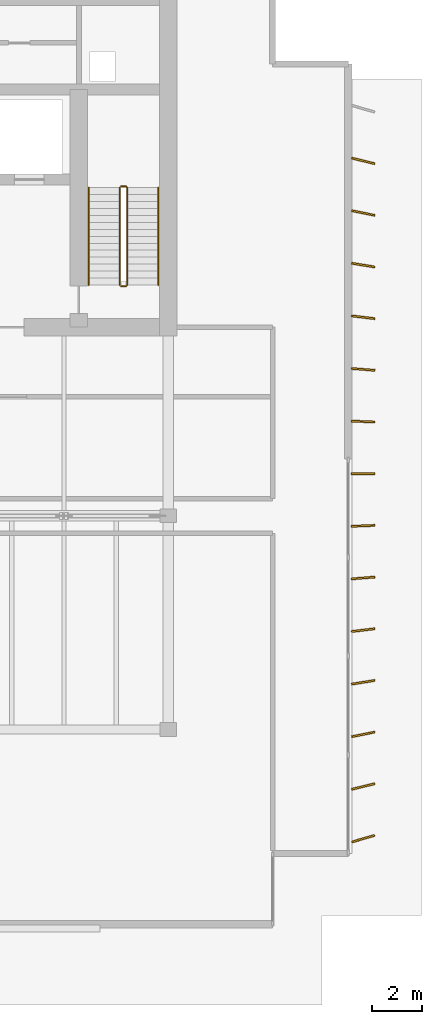
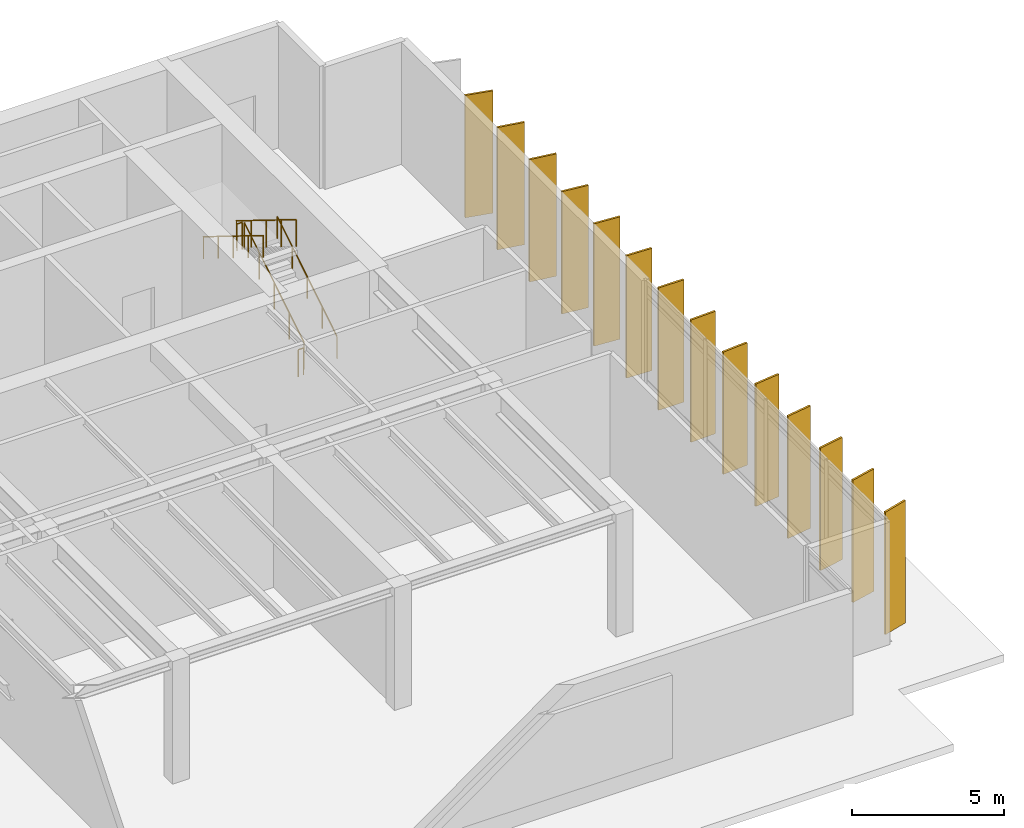
# One storey, part 11 of 12: 14 shading devices, 6 railings.
"""IFC4 building model written with IfcOpenShell, lengths in metres."""

from ifc_helpers import new_model, si_unit, direction, frame, origin, origin_2d, place, context, subcontext, project, spatial, rectangle, circle, extrude, material, material_profile, profile_set, type_object, element, save


model = new_model("IFC4")

# Units and contexts
model_context = context("Model", 3, precision=1e-05, world=origin(), true_north=direction((0.0, 1.0)))
body_context = subcontext(model_context, "Body", "Model", "MODEL_VIEW")
ifc_project = project(units=[si_unit("LENGTHUNIT", "METRE"), si_unit("AREAUNIT", "SQUARE_METRE"), si_unit("VOLUMEUNIT", "CUBIC_METRE"), si_unit("PLANEANGLEUNIT", "RADIAN"), si_unit("MASSUNIT", "GRAM", prefix="KILO")], contexts=[model_context])

# Site, building, storey
site_placement = place(None, origin())
site = spatial("IfcSite", under=ifc_project, at=site_placement, CompositionType="ELEMENT")
building_placement = place(site_placement, origin())
building = spatial("IfcBuilding", under=site, at=building_placement, Name="Caelmar Bay Residences", CompositionType="ELEMENT")
storey_placement = place(building_placement, frame((0.0, 0.0, 274.199951171875)))
storey = spatial("IfcBuildingStorey", under=building, at=storey_placement, Name="L77", CompositionType="ELEMENT", Elevation=274.199951171875)

# Railings
ifc_material_1 = material(Name="Painted galvanized steel stair guard 1100 mm", Category="steel")
railing_type_1 = type_object("IfcRailingType", Name="RL-GRD-1100", PredefinedType="GUARDRAIL", material=ifc_material_1)
railing_1_placement = place(storey_placement, frame((57.85009765625, 38.699951171875, 0.17333984375)))
element("IfcRailing", 1, at=railing_1_placement, inside=storey, type_object=railing_type_1, Name="L77 ST2 stair guard 1", PredefinedType="GUARDRAIL", context=body_context, shape_type="SweptSolid", body=[
    extrude(circle(Radius=0.02392578125, at=origin_2d()), frame((0.0, 0.0, 1.076171875), z_axis=(0.0, 0.850266275192, 0.526352791643), x_axis=(-1.0, 0.0, 0.0)), (0.0, 0.0, 1.0), 4.610595703125),
    extrude(circle(Radius=0.02099609375, at=origin_2d()), origin(), (0.0, 0.0, 1.0), 1.052001953125),
    extrude(circle(Radius=0.02099609375, at=origin_2d()), frame((0.0, 0.97998046875, 0.606689453125)), (0.0, 0.0, 1.0), 1.052001953125),
    extrude(circle(Radius=0.02099609375, at=origin_2d()), frame((0.0, 1.9599609375, 1.21337890625)), (0.0, 0.0, 1.0), 1.052001953125),
    extrude(circle(Radius=0.02099609375, at=origin_2d()), frame((0.0, 2.940185546875, 1.820068359375)), (0.0, 0.0, 1.0), 1.052001953125),
    extrude(circle(Radius=0.02099609375, at=origin_2d()), frame((0.0, 3.920166015625, 2.4267578125)), (0.0, 0.0, 1.0), 1.052001953125),
])
railing_2_placement = place(storey_placement, frame((57.800048828125, 42.669921875, 2.60009765625)))
element("IfcRailing", 2, at=railing_2_placement, inside=storey, type_object=railing_type_1, Name="L77 ST2 stair guard 2", PredefinedType="GUARDRAIL", context=body_context, shape_type="SweptSolid", body=[
    extrude(circle(Radius=0.02392578125, at=origin_2d()), frame((0.0, 0.0, 1.076171875), z_axis=(-1.0, 0.0, 0.0), x_axis=(0.0, -1.0, 0.0)), (0.0, 0.0, 1.0), 0.199951171875),
    extrude(circle(Radius=0.02099609375, at=origin_2d()), origin(), (0.0, 0.0, 1.0), 1.052001953125),
    extrude(circle(Radius=0.02099609375, at=origin_2d()), frame((-0.199951171875, 0.0, 0.0)), (0.0, 0.0, 1.0), 1.052001953125),
])
railing_3_placement = place(storey_placement, frame((57.550048828125, 42.6201171875, 2.7734375)))
element("IfcRailing", 3, at=railing_3_placement, inside=storey, type_object=railing_type_1, Name="L77 ST2 stair guard 3", PredefinedType="GUARDRAIL", context=body_context, shape_type="SweptSolid", body=[
    extrude(circle(Radius=0.02392578125, at=origin_2d()), frame((0.0, 0.0, 1.076171875), z_axis=(0.0, -0.850289973577, 0.526314507528), x_axis=(1.0, 0.0, 0.0)), (0.0, 0.0, 1.0), 4.6103515625),
    extrude(circle(Radius=0.02099609375, at=origin_2d()), origin(), (0.0, 0.0, 1.0), 1.052001953125),
    extrude(circle(Radius=0.02099609375, at=origin_2d()), frame((0.0, -0.97998046875, 0.606689453125)), (0.0, 0.0, 1.0), 1.052001953125),
    extrude(circle(Radius=0.02099609375, at=origin_2d()), frame((0.0, -1.9599609375, 1.21337890625)), (0.0, 0.0, 1.0), 1.052001953125),
    extrude(circle(Radius=0.02099609375, at=origin_2d()), frame((0.0, -2.940185546875, 1.81982421875)), (0.0, 0.0, 1.0), 1.052001953125),
    extrude(circle(Radius=0.02099609375, at=origin_2d()), frame((0.0, -3.920166015625, 2.426513671875)), (0.0, 0.0, 1.0), 1.052001953125),
])
railing_4_placement = place(storey_placement, frame((57.800048828125, 38.64990234375, 0.0)))
element("IfcRailing", 4, at=railing_4_placement, inside=storey, type_object=railing_type_1, Name="L77 ST2 stair guard 4", PredefinedType="GUARDRAIL", context=body_context, shape_type="SweptSolid", body=[
    extrude(circle(Radius=0.02392578125, at=origin_2d()), frame((0.0, 0.0, 1.076171875), z_axis=(-1.0, 0.0, 0.0), x_axis=(0.0, -1.0, 0.0)), (0.0, 0.0, 1.0), 0.199951171875),
    extrude(circle(Radius=0.02099609375, at=origin_2d()), origin(), (0.0, 0.0, 1.0), 1.052001953125),
    extrude(circle(Radius=0.02099609375, at=origin_2d()), frame((-0.199951171875, 0.0, 0.0)), (0.0, 0.0, 1.0), 1.052001953125),
])
ifc_material_2 = material(Name="Brushed bronze stainless-steel tubular handrail 900 mm", Category="steel")
railing_type_2 = type_object("IfcRailingType", Name="RL-HND-900", PredefinedType="HANDRAIL", material=ifc_material_2)
railing_5_placement = place(storey_placement, frame((59.10009765625, 38.699951171875, 0.17333984375)))
element("IfcRailing", 5, at=railing_5_placement, inside=storey, type_object=railing_type_2, Name="L77 ST2 stair handrail 1", PredefinedType="HANDRAIL", context=body_context, shape_type="SweptSolid", body=[
    extrude(circle(Radius=0.02392578125, at=origin_2d()), frame((0.0, 0.0, 0.8759765625), z_axis=(0.0, 0.850266275192, 0.526352791643), x_axis=(-1.0, 0.0, 0.0)), (0.0, 0.0, 1.0), 4.610595703125),
    extrude(circle(Radius=0.02099609375, at=origin_2d()), origin(), (0.0, 0.0, 1.0), 0.851806640625),
    extrude(circle(Radius=0.02099609375, at=origin_2d()), frame((0.0, 0.97998046875, 0.606689453125)), (0.0, 0.0, 1.0), 0.851806640625),
    extrude(circle(Radius=0.02099609375, at=origin_2d()), frame((0.0, 1.9599609375, 1.21337890625)), (0.0, 0.0, 1.0), 0.851806640625),
    extrude(circle(Radius=0.02099609375, at=origin_2d()), frame((0.0, 2.940185546875, 1.820068359375)), (0.0, 0.0, 1.0), 0.851806640625),
    extrude(circle(Radius=0.02099609375, at=origin_2d()), frame((0.0, 3.920166015625, 2.4267578125)), (0.0, 0.0, 1.0), 0.851806640625),
])
railing_6_placement = place(storey_placement, frame((56.300048828125, 42.6201171875, 2.7734375)))
element("IfcRailing", 6, at=railing_6_placement, inside=storey, type_object=railing_type_2, Name="L77 ST2 stair handrail 2", PredefinedType="HANDRAIL", context=body_context, shape_type="SweptSolid", body=[
    extrude(circle(Radius=0.02392578125, at=origin_2d()), frame((0.0, 0.0, 0.8759765625), z_axis=(0.0, -0.850289973577, 0.526314507528), x_axis=(1.0, 0.0, 0.0)), (0.0, 0.0, 1.0), 4.6103515625),
    extrude(circle(Radius=0.02099609375, at=origin_2d()), origin(), (0.0, 0.0, 1.0), 0.851806640625),
    extrude(circle(Radius=0.02099609375, at=origin_2d()), frame((0.0, -0.97998046875, 0.606689453125)), (0.0, 0.0, 1.0), 0.851806640625),
    extrude(circle(Radius=0.02099609375, at=origin_2d()), frame((0.0, -1.9599609375, 1.21337890625)), (0.0, 0.0, 1.0), 0.851806640625),
    extrude(circle(Radius=0.02099609375, at=origin_2d()), frame((0.0, -2.940185546875, 1.81982421875)), (0.0, 0.0, 1.0), 0.851806640625),
    extrude(circle(Radius=0.02099609375, at=origin_2d()), frame((0.0, -3.920166015625, 2.426513671875)), (0.0, 0.0, 1.0), 0.851806640625),
])

# Shading devices
ifc_material_3 = material(Name="Anodised architectural bronze aluminium 6063-T6", Category="aluminium")
ifc_material_profile = material_profile(ifc_material_3, rectangle(XDim=0.074951171875, YDim=0.949951171875, at=origin_2d()), Name="BRONZE-FIN-75X950")
ifc_profile_set = profile_set([ifc_material_profile], Name="Anodised architectural bronze aluminium 6063-T6")
shading_device_type = type_object("IfcShadingDeviceType", Name="SHD-FIN-950", PredefinedType="USERDEFINED", material=ifc_profile_set)
for number, where, z_axis, x_axis, name in (
    (7, (67.35009765625, 16.39990234375, 0.0), (0.0, 0.0, 1.0), (-0.275637355817, 0.961261695938, 0.0), "L77 East Bronze Solar Fin 1"),
    (8, (67.35009765625, 18.5, 0.0), (0.0, 0.0, 1.0), (-0.237007709767, 0.971507769146, 0.0), "L77 East Bronze Solar Fin 2"),
    (9, (67.35009765625, 20.60009765625, 0.0), (0.0, 0.0, 1.0), (-0.198170582048, 0.980167547112, 0.0), "L77 East Bronze Solar Fin 3"),
    (10, (67.35009765625, 22.699951171875, 0.0), (0.0, 0.0, 1.0), (-0.158847373537, 0.987303150973, 0.0), "L77 East Bronze Solar Fin 4"),
    (11, (67.35009765625, 24.800048828125, 0.0), (0.0, 0.0, 1.0), (-0.119443734243, 0.992840971329, 0.0), "L77 East Bronze Solar Fin 5"),
    (12, (67.35009765625, 26.89990234375, 0.0), (0.0, 0.0, 1.0), (-0.079677001159, 0.996820733877, 0.0), "L77 East Bronze Solar Fin 6"),
    (13, (67.35009765625, 29.0, 0.0), (0.0, 0.0, 1.0), (-0.039957399602, 0.999201384215, 0.0), "L77 East Bronze Solar Fin 7"),
    (14, (67.35009765625, 31.10009765625, 0.0), (0.0, 0.0, 1.0), (0.0, 1.0, 0.0), "L77 East Bronze Solar Fin 8"),
    (15, (67.35009765625, 33.199951171875, 0.0), (0.0, 0.0, 1.0), (0.039957399602, 0.999201384215, 0.0), "L77 East Bronze Solar Fin 9"),
    (16, (67.35009765625, 35.300048828125, 0.0), (0.0, 0.0, 1.0), (0.079677001159, 0.996820733877, 0.0), "L77 East Bronze Solar Fin 10"),
    (17, (67.35009765625, 37.39990234375, 0.0), (0.0, 0.0, 1.0), (0.119443734243, 0.992840971329, 0.0), "L77 East Bronze Solar Fin 11"),
    (18, (67.35009765625, 39.5, 0.0), (0.0, 0.0, 1.0), (0.158847373537, 0.987303150973, 0.0), "L77 East Bronze Solar Fin 12"),
    (19, (67.35009765625, 41.60009765625, 0.0), (0.0, 0.0, 1.0), (0.198170582048, 0.980167547112, 0.0), "L77 East Bronze Solar Fin 13"),
    (20, (67.35009765625, 43.699951171875, 0.0), (0.0, 0.0, 1.0), (0.237007709767, 0.971507769146, 0.0), "L77 East Bronze Solar Fin 14"),
):
    element("IfcShadingDevice", number, at=place(storey_placement, frame(where, z_axis=z_axis, x_axis=x_axis)), inside=storey, type_object=shading_device_type, Name=name, ObjectType="FIN", PredefinedType="USERDEFINED", context=body_context, shape_type="SweptSolid", body=[
        extrude(rectangle(XDim=0.074951171875, YDim=0.949951171875, at=origin_2d()), origin(), (0.0, 0.0, 1.0), 4.900146484375),
    ])

save(model, "model.ifc")
